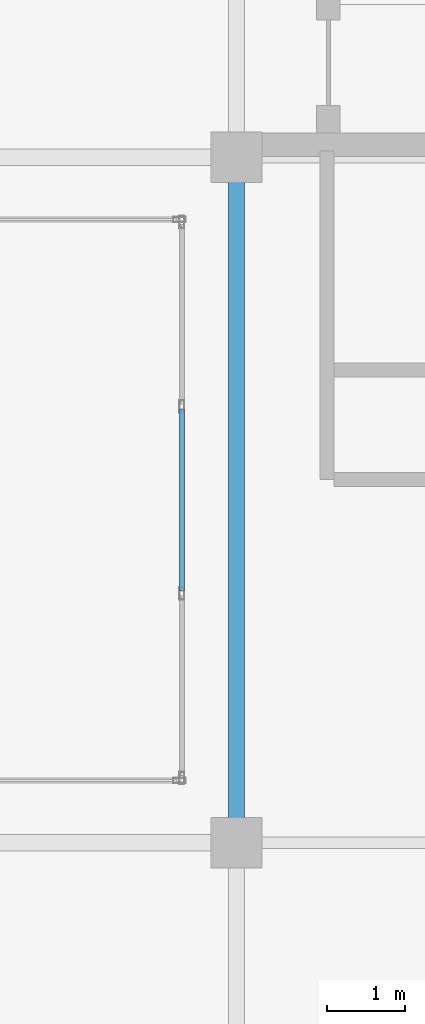
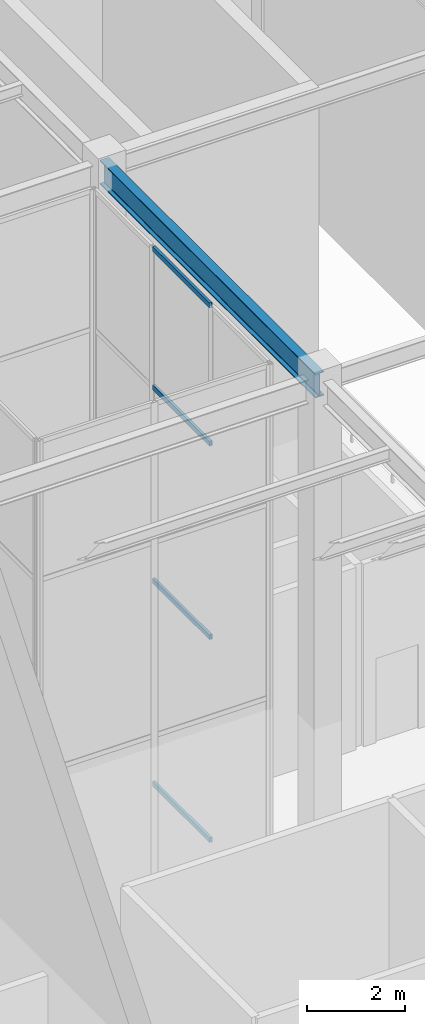
# One storey, part 7 of 15: 4 members, 1 beam, 1 element without a shape of its own.
"""IFC4 building model written with IfcOpenShell, lengths in metres."""

from ifc_helpers import new_model, si_unit, direction, frame, origin, origin_2d, place, context, subcontext, project, spatial, hollow_rectangle, i_section, extrude, material, layer, layer_set, material_profile, profile_set, type_object, element, aggregate, save


model = new_model("IFC4")

# Units and contexts
model_context = context("Model", 3, precision=1e-05, world=origin(), true_north=direction((0.0, 1.0)))
body_context = subcontext(model_context, "Body", "Model", "MODEL_VIEW")
ifc_project = project(units=[si_unit("LENGTHUNIT", "METRE"), si_unit("AREAUNIT", "SQUARE_METRE"), si_unit("VOLUMEUNIT", "CUBIC_METRE"), si_unit("PLANEANGLEUNIT", "RADIAN"), si_unit("MASSUNIT", "GRAM", prefix="KILO")], contexts=[model_context])

# Site, building, storey
site_placement = place(None, origin())
site = spatial("IfcSite", under=ifc_project, at=site_placement, CompositionType="ELEMENT")
building_placement = place(site_placement, origin())
building = spatial("IfcBuilding", under=site, at=building_placement, Name="Kundavana Baori Tower", CompositionType="ELEMENT")
storey_placement = place(building_placement, frame((0.0, 0.0, 354.699951171875)))
storey = spatial("IfcBuildingStorey", under=building, at=storey_placement, Name="L88", CompositionType="ELEMENT", Elevation=354.699951171875)

# Beam
ifc_material_1 = material(Name="Structural Steel S355JR", Category="steel")
ifc_material_profile_1 = material_profile(ifc_material_1, i_section(OverallWidth=0.2099609375, OverallDepth=0.60009765625, WebThickness=0.011962890625, FlangeThickness=0.020751953125, FilletRadius=0.02001953125, at=origin_2d()), Name="ISMB 600")
ifc_profile_set_1 = profile_set([ifc_material_profile_1], Name="Structural Steel S355JR")
beam_type = type_object("IfcBeamType", Name="BM-ST-600", PredefinedType="BEAM", material=ifc_profile_set_1)
beam_placement = place(storey_placement, frame((33.800048828125, 24.199951171875, 13.10009765625), z_axis=(0.0, 1.0, 0.0), x_axis=(-1.0, 0.0, 0.0)))
element("IfcBeam", 1, at=beam_placement, inside=storey, type_object=beam_type, Name="L88 Primary Grid Girder GY-3-2", PredefinedType="BEAM", context=body_context, shape_type="SweptSolid", body=[
    extrude(i_section(OverallWidth=0.2099609375, OverallDepth=0.60009765625, WebThickness=0.011962890625, FlangeThickness=0.020751953125, FilletRadius=0.02001953125, at=origin_2d()), origin(), (0.0, 0.0, 1.0), 8.800048828125),
])

# Curtain wall, members
ifc_material_2 = material(Name="Thermally Broken Anodised Aluminium Framing", Category="aluminium")
ifc_layer = layer(ifc_material_2, 0.25, Name="CW-SYS-7")
ifc_layer_set = layer_set([ifc_layer], Name="Thermally Broken Anodised Aluminium Framing")
curtain_wall_type = type_object("IfcCurtainWallType", Name="CW-SYS-7", PredefinedType="NOTDEFINED", material=ifc_layer_set)
curtain_wall_placement = place(storey_placement, origin())
curtain_wall = element("IfcCurtainWall", 2, at=curtain_wall_placement, inside=storey, type_object=curtain_wall_type, Name="L88 Atrium Glazed Curtain Wall E", PredefinedType="NOTDEFINED")
ifc_material_3 = material(Name="Thermally Broken Anodised Aluminium Framing", Category="aluminium")
ifc_material_profile_2 = material_profile(ifc_material_3, hollow_rectangle(XDim=0.06494140625, YDim=0.1201171875, WallThickness=0.00390625, at=origin_2d()), Name="CW-TRAN-120")
ifc_profile_set_2 = profile_set([ifc_material_profile_2], Name="Thermally Broken Anodised Aluminium Framing")
member_type = type_object("IfcMemberType", Name="CW-TRAN-120", PredefinedType="USERDEFINED", material=ifc_profile_set_2)
member_1_placement = place(storey_placement, frame((33.10009765625, 27.4326171875, 0.032470703125), z_axis=(0.0, 1.0, 0.0), x_axis=(-1.0, 0.0, 0.0)))
member_1 = element("IfcMember", 3, at=member_1_placement, type_object=member_type, Name="CW7 transom 2.1", ObjectType="TRANSOM", PredefinedType="USERDEFINED", context=body_context, shape_type="SweptSolid", body=[
    extrude(hollow_rectangle(XDim=0.06494140625, YDim=0.1201171875, WallThickness=0.00390625, at=origin_2d()), origin(), (0.0, 0.0, 1.0), 2.3349609375),
])
member_2_placement = place(storey_placement, frame((33.10009765625, 27.4326171875, 5.092041015625), z_axis=(0.0, 1.0, 0.0), x_axis=(-1.0, 0.0, 0.0)))
member_2 = element("IfcMember", 4, at=member_2_placement, type_object=member_type, Name="CW7 transom 2.2", ObjectType="TRANSOM", PredefinedType="USERDEFINED", context=body_context, shape_type="SweptSolid", body=[
    extrude(hollow_rectangle(XDim=0.06494140625, YDim=0.1201171875, WallThickness=0.00390625, at=origin_2d()), origin(), (0.0, 0.0, 1.0), 2.3349609375),
])
member_3_placement = place(storey_placement, frame((33.10009765625, 27.4326171875, 9.916015625), z_axis=(0.0, 1.0, 0.0), x_axis=(-1.0, 0.0, 0.0)))
member_3 = element("IfcMember", 5, at=member_3_placement, type_object=member_type, Name="CW7 transom 2.3", ObjectType="TRANSOM", PredefinedType="USERDEFINED", context=body_context, shape_type="SweptSolid", body=[
    extrude(hollow_rectangle(XDim=0.06494140625, YDim=0.1201171875, WallThickness=0.00390625, at=origin_2d()), origin(), (0.0, 0.0, 1.0), 2.3349609375),
])
member_4_placement = place(storey_placement, frame((33.10009765625, 27.4326171875, 13.367431640625), z_axis=(0.0, 1.0, 0.0), x_axis=(-1.0, 0.0, 0.0)))
member_4 = element("IfcMember", 6, at=member_4_placement, type_object=member_type, Name="CW7 transom 2.4", ObjectType="TRANSOM", PredefinedType="USERDEFINED", context=body_context, shape_type="SweptSolid", body=[
    extrude(hollow_rectangle(XDim=0.06494140625, YDim=0.1201171875, WallThickness=0.00390625, at=origin_2d()), origin(), (0.0, 0.0, 1.0), 2.3349609375),
])
aggregate(curtain_wall, [member_1, member_2, member_3, member_4])

save(model, "model.ifc")
